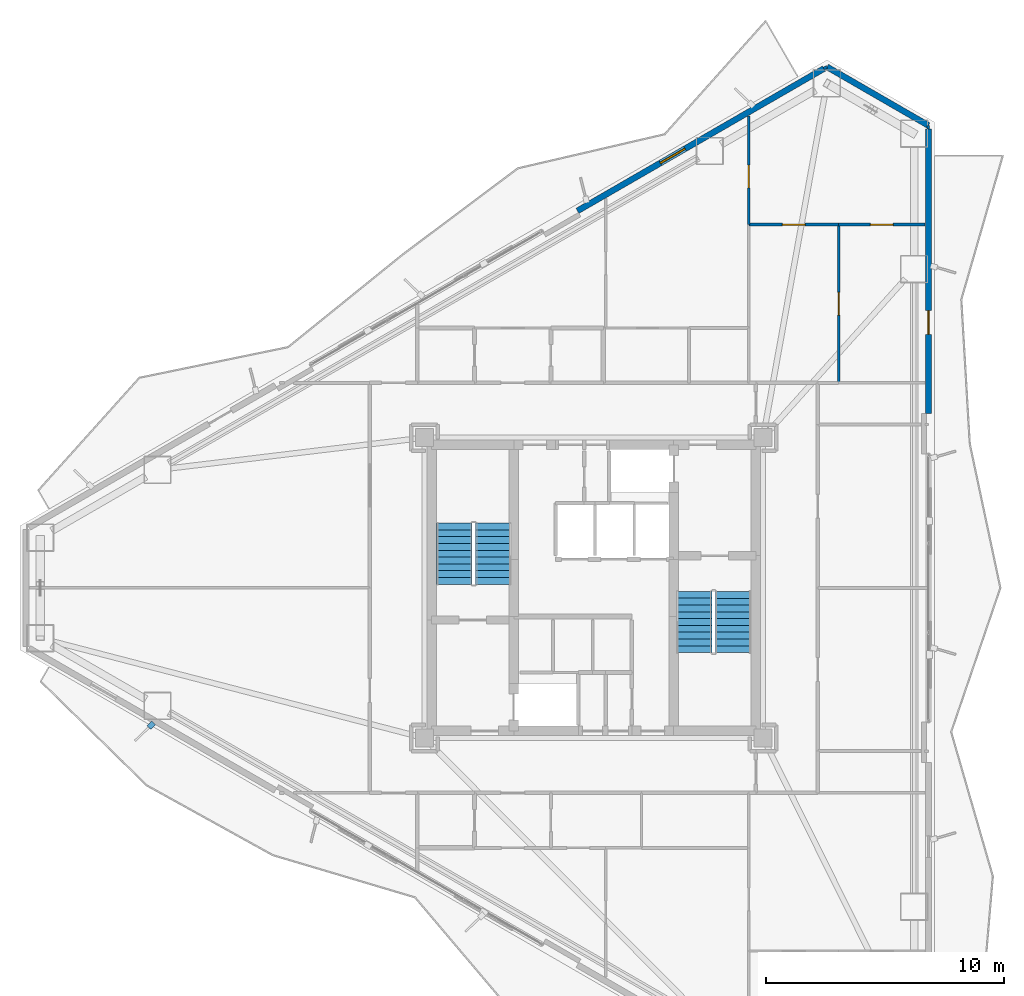
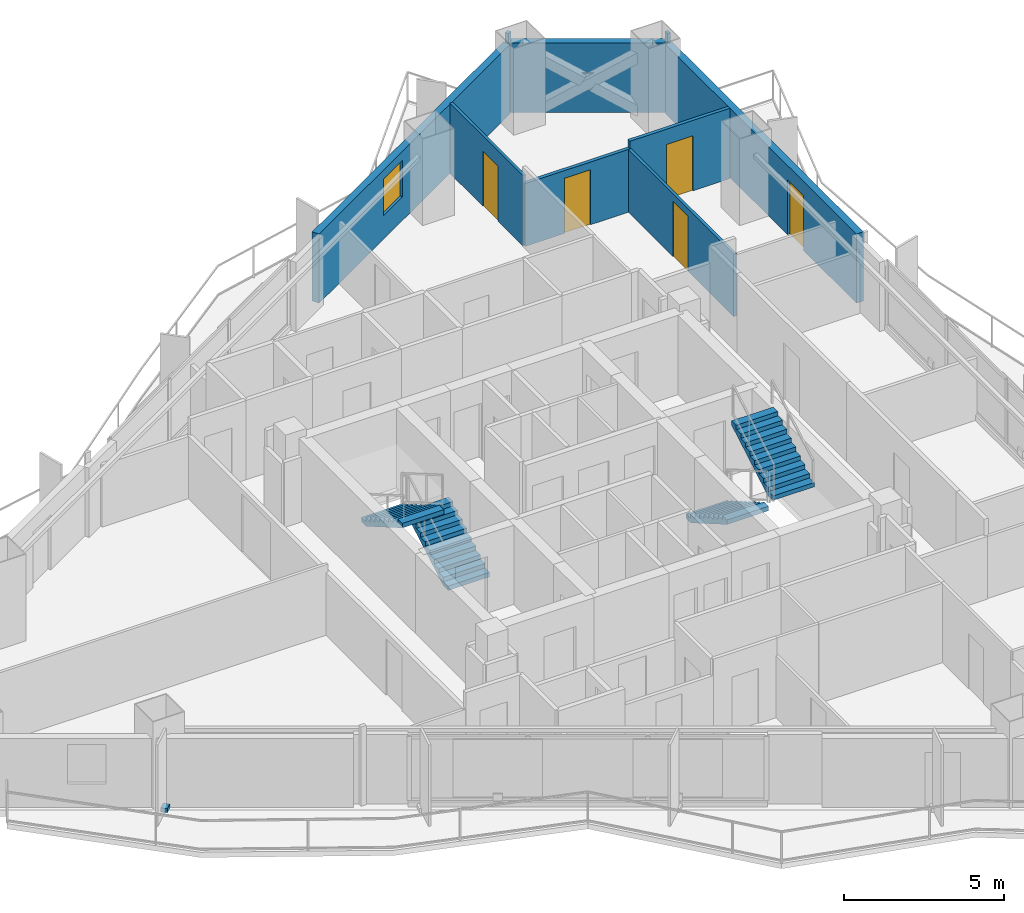
# One storey, part 19 of 22: 9 walls, 5 doors, 4 stair flights, 1 discrete accessory, 1 window, 6 openings, 2 elements without a shape of their own.
"""IFC4 building model written with IfcOpenShell, lengths in metres."""

from ifc_helpers import new_model, si_unit, direction, frame, frame_2d, origin, origin_2d, place, context, subcontext, project, spatial, polyline, rectangle, outline, extrude, material, layer, layer_set, type_object, element, fill, aggregate, save


model = new_model("IFC4")

# Units and contexts
model_context = context("Model", 3, precision=1e-05, world=origin(), true_north=direction((0.0, 1.0)))
body_context = subcontext(model_context, "Body", "Model", "MODEL_VIEW")
ifc_project = project(units=[si_unit("LENGTHUNIT", "METRE"), si_unit("AREAUNIT", "SQUARE_METRE"), si_unit("VOLUMEUNIT", "CUBIC_METRE"), si_unit("PLANEANGLEUNIT", "RADIAN"), si_unit("MASSUNIT", "GRAM", prefix="KILO")], contexts=[model_context])

# Site, building, storey
site_placement = place(None, origin())
site = spatial("IfcSite", under=ifc_project, at=site_placement, CompositionType="ELEMENT")
building_placement = place(site_placement, origin())
building = spatial("IfcBuilding", under=site, at=building_placement, Name="Mersakhor Tower and Convention Hall", CompositionType="ELEMENT")
storey_placement = place(building_placement, frame((0.0, 0.0, 113.10009765625)))
storey = spatial("IfcBuildingStorey", under=building, at=storey_placement, Name="L31", CompositionType="ELEMENT", Elevation=113.10009765625)

# Wall
ifc_material_1 = material(Name="Precast concrete C40/50", Category="concrete")
ifc_layer_1 = layer(ifc_material_1, 0.25)
ifc_layer_set_1 = layer_set([ifc_layer_1], Name="Precast concrete C40/50")
wall_type_1 = type_object("IfcWallType", Name="WL-EXT-250", PredefinedType="SOLIDWALL", material=ifc_layer_set_1)
wall_1_placement = place(storey_placement, frame((38.77880859375, 48.6015625, 0.0), z_axis=(0.0, 0.0, 1.0), x_axis=(0.866011848704, -0.500023477353, 0.0)))
element("IfcWall", 1, at=wall_1_placement, inside=storey, type_object=wall_type_1, Name="L31 Chamfer Braced Spandrel Wall C1", PredefinedType="SOLIDWALL", context=body_context, shape_type="SweptSolid", body=[
    extrude(rectangle(XDim=4.914306640625, YDim=0.25, at=frame_2d((2.45703125, 0.0))), origin(), (0.0, 0.0, 1.0), 2.639892578125),
])

# Wall, opening, window
wall_2_placement = place(storey_placement, frame((28.3173828125, 42.561767578125, 0.0), z_axis=(0.0, 0.0, 1.0), x_axis=(0.866023023012, 0.500004123596, 0.0)))
wall_2 = element("IfcWall", 2, at=wall_2_placement, inside=storey, type_object=wall_type_1, Name="L31 Exterior Facade Wall F1-B3", PredefinedType="SOLIDWALL", context=body_context, shape_type="SweptSolid", body=[
    extrude(rectangle(XDim=11.9296875, YDim=0.25, at=frame_2d((5.96484375, 0.0))), origin(), (0.0, 0.0, 1.0), 2.639892578125),
])
opening_1_placement = place(wall_2_placement, frame((4.010986328125, 0.0, 0.89990234375)))
opening_1 = element("IfcOpeningElement", 3, at=opening_1_placement, cuts=wall_2, Name="Opening W-01", PredefinedType="OPENING", context=body_context, shape_type="SweptSolid", body=[
    extrude(rectangle(XDim=1.199951171875, YDim=1.39990234375, at=frame_2d((0.60009765625, 0.699951171875))), frame((0.0, 0.135009765625, 0.0), z_axis=(0.0, -1.0, 0.0), x_axis=(1.0, 0.0, 0.0)), (0.0, 0.0, 1.0), 0.27001953125),
])
ifc_material_2 = material(Name="Dark solar low-E glazed aluminium window", Category="aluminium")
window_type = type_object("IfcWindowType", Name="WN-RES-120x150", PartitioningType="SINGLE_PANEL", PredefinedType="WINDOW", material=ifc_material_2)
window_placement = place(opening_1_placement, origin())
window = element("IfcWindow", 4, at=window_placement, inside=storey, type_object=window_type, Name="L31 Bedroom Facade Window F1-B3-1", OverallHeight=1.39990234375, OverallWidth=1.199951171875, PartitioningType="SINGLE_PANEL", PredefinedType="WINDOW", context=body_context, shape_type="SweptSolid", body=[
    extrude(rectangle(XDim=1.199951171875, YDim=1.39990234375, at=frame_2d((0.60009765625, 0.699951171875))), frame((0.0, 0.030029296875, 0.0), z_axis=(0.0, -1.0, 0.0), x_axis=(1.0, 0.0, 0.0)), (0.0, 0.0, 1.0), 0.06005859375),
])
fill(opening_1, window)

# Wall, opening, door
wall_3_placement = place(storey_placement, frame((43.03466796875, 45.994384765625, 0.0), z_axis=(0.0, 0.0, 1.0), x_axis=(0.0, -1.0, 0.0)))
wall_3 = element("IfcWall", 5, at=wall_3_placement, inside=storey, type_object=wall_type_1, Name="L31 Exterior Facade Wall F2-B1", PredefinedType="SOLIDWALL", context=body_context, shape_type="SweptSolid", body=[
    extrude(rectangle(XDim=11.9296875, YDim=0.25, at=frame_2d((5.96484375, 0.0))), origin(), (0.0, 0.0, 1.0), 2.639892578125),
])
opening_2_placement = place(wall_3_placement, frame((7.615966796875, 0.0, 0.0)))
opening_2 = element("IfcOpeningElement", 6, at=opening_2_placement, cuts=wall_3, Name="Opening BD-01", PredefinedType="OPENING", context=body_context, shape_type="SweptSolid", body=[
    extrude(rectangle(XDim=1.0, YDim=2.10009765625, at=frame_2d((0.5, 1.050048828125))), frame((0.0, 0.135009765625, 0.0), z_axis=(0.0, -1.0, 0.0), x_axis=(1.0, 0.0, 0.0)), (0.0, 0.0, 1.0), 0.27001953125),
])
ifc_material_3 = material(Name="Thermally broken dark aluminium and safety glass", Category="aluminium")
door_type_1 = type_object("IfcDoorType", Name="DR-BAL-100x210", OperationType="NOTDEFINED", PredefinedType="DOOR", material=ifc_material_3)
door_1_placement = place(opening_2_placement, origin())
door_1 = element("IfcDoor", 7, at=door_1_placement, inside=storey, type_object=door_type_1, Name="L31 Balcony Terrace Door F2-B1", OperationType="SINGLE_SWING_LEFT", OverallHeight=2.10009765625, OverallWidth=1.0, PredefinedType="DOOR", context=body_context, shape_type="SweptSolid", body=[
    extrude(rectangle(XDim=1.0, YDim=2.10009765625, at=frame_2d((0.5, 1.050048828125))), frame((0.0, 0.02490234375, 0.0), z_axis=(0.0, -1.0, 0.0), x_axis=(1.0, 0.0, 0.0)), (0.0, 0.0, 1.0), 0.050048828125),
])
fill(opening_2, door_1)

ifc_material_4 = material(Name="Lightweight gypsum partition", Category="other")
ifc_layer_2 = layer(ifc_material_4, 0.10009765625)
ifc_layer_set_2 = layer_set([ifc_layer_2], Name="Lightweight gypsum partition")
wall_type_2 = type_object("IfcWallType", Name="WL-PRT-100", PredefinedType="PARTITIONING", material=ifc_layer_set_2)
wall_4_placement = place(storey_placement, frame((35.5, 46.53662109375, 0.0), z_axis=(0.0, 0.0, 1.0), x_axis=(0.0, -1.0, 0.0)))
wall_4 = element("IfcWall", 8, at=wall_4_placement, inside=storey, type_object=wall_type_2, Name="L31 Interior Partition Wall P-094", PredefinedType="PARTITIONING", context=body_context, shape_type="SweptSolid", body=[
    extrude(rectangle(XDim=4.556640625, YDim=0.10009765625, at=frame_2d((2.2783203125, 0.0))), origin(), (0.0, 0.0, 1.0), 2.684326171875),
])
opening_3_placement = place(wall_4_placement, frame((2.061767578125, 0.0, 0.0)))
opening_3 = element("IfcOpeningElement", 9, at=opening_3_placement, cuts=wall_4, Name="Opening RD-01", PredefinedType="OPENING", context=body_context, shape_type="SweptSolid", body=[
    extrude(rectangle(XDim=0.949951171875, YDim=2.10009765625, at=frame_2d((0.47509765625, 1.050048828125))), frame((0.0, 0.06005859375, 0.0), z_axis=(0.0, -1.0, 0.0), x_axis=(1.0, 0.0, 0.0)), (0.0, 0.0, 1.0), 0.1201171875),
])
ifc_material_5 = material(Name="Solid-core hardwood leaf in painted steel frame", Category="steel")
door_type_2 = type_object("IfcDoorType", Name="DR-INT-RM-095x210", OperationType="NOTDEFINED", PredefinedType="DOOR", material=ifc_material_5)
door_2_placement = place(opening_3_placement, origin())
door_2 = element("IfcDoor", 10, at=door_2_placement, inside=storey, type_object=door_type_2, Name="L31 L31 Flat N1 Master Bedroom to L31 Flat N1 Dining Room Door", OperationType="SINGLE_SWING_LEFT", OverallHeight=2.10009765625, OverallWidth=0.949951171875, PredefinedType="DOOR", context=body_context, shape_type="SweptSolid", body=[
    extrude(rectangle(XDim=0.949951171875, YDim=2.10009765625, at=frame_2d((0.47509765625, 1.050048828125))), frame((0.0, 0.02490234375, 0.0), z_axis=(0.0, -1.0, 0.0), x_axis=(1.0, 0.0, 0.0)), (0.0, 0.0, 1.0), 0.050048828125),
])
fill(opening_3, door_2)

wall_5_placement = place(storey_placement, frame((39.27001953125, 41.97998046875, 0.0), z_axis=(0.0, 0.0, 1.0), x_axis=(0.0, -1.0, 0.0)))
wall_5 = element("IfcWall", 11, at=wall_5_placement, inside=storey, type_object=wall_type_2, Name="L31 Interior Partition Wall P-098", PredefinedType="PARTITIONING", context=body_context, shape_type="SweptSolid", body=[
    extrude(rectangle(XDim=6.6298828125, YDim=0.10009765625, at=frame_2d((3.31494140625, 0.0))), origin(), (0.0, 0.0, 1.0), 2.392822265625),
])
opening_4_placement = place(wall_5_placement, frame((2.840087890625, 0.0, 0.0)))
opening_4 = element("IfcOpeningElement", 12, at=opening_4_placement, cuts=wall_5, Name="Opening RD-01", PredefinedType="OPENING", context=body_context, shape_type="SweptSolid", body=[
    extrude(rectangle(XDim=0.949951171875, YDim=2.10009765625, at=frame_2d((0.47509765625, 1.050048828125))), frame((0.0, 0.06005859375, 0.0), z_axis=(0.0, -1.0, 0.0), x_axis=(1.0, 0.0, 0.0)), (0.0, 0.0, 1.0), 0.1201171875),
])
door_3_placement = place(opening_4_placement, origin())
door_3 = element("IfcDoor", 13, at=door_3_placement, inside=storey, type_object=door_type_2, Name="L31 L31 Flat N1 Bedroom 2 to L31 Flat N1 Study Room Door", OperationType="SINGLE_SWING_RIGHT", OverallHeight=2.10009765625, OverallWidth=0.949951171875, PredefinedType="DOOR", context=body_context, shape_type="SweptSolid", body=[
    extrude(rectangle(XDim=0.949951171875, YDim=2.10009765625, at=frame_2d((0.47509765625, 1.050048828125))), frame((0.0, 0.02490234375, 0.0), z_axis=(0.0, -1.0, 0.0), x_axis=(1.0, 0.0, 0.0)), (0.0, 0.0, 1.0), 0.050048828125),
])
fill(opening_4, door_3)

# Wall
wall_6_placement = place(storey_placement, frame((43.034912109375, 46.14404296875, 0.0), z_axis=(0.0, 0.0, 1.0), x_axis=(0.0, -1.0, 0.0)))
element("IfcWall", 14, at=wall_6_placement, inside=storey, type_object=wall_type_2, Name="L31 Interior Partition Wall P-102", PredefinedType="PARTITIONING", context=body_context, shape_type="SweptSolid", body=[
    extrude(rectangle(XDim=0.149658203125, YDim=0.10009765625, at=frame_2d((0.07470703125, 0.0))), origin(), (0.0, 0.0, 1.0), 3.02001953125),
])

# Wall, opening, door
ifc_material_6 = material(Name="Gypsum board acoustic partition", Category="other")
ifc_layer_3 = layer(ifc_material_6, 0.125)
ifc_layer_set_3 = layer_set([ifc_layer_3], Name="Gypsum board acoustic partition")
wall_type_3 = type_object("IfcWallType", Name="WL-PRT-125", PredefinedType="PARTITIONING", material=ifc_layer_set_3)
wall_7_placement = place(storey_placement, frame((35.5, 41.97998046875, 0.0), z_axis=(0.0, 0.0, 1.0), x_axis=(1.0, 0.0, 0.0)))
wall_7 = element("IfcWall", 15, at=wall_7_placement, inside=storey, type_object=wall_type_3, Name="L31 Interior Partition Wall P-097", PredefinedType="PARTITIONING", context=body_context, shape_type="SweptSolid", body=[
    extrude(rectangle(XDim=3.77001953125, YDim=0.125, at=frame_2d((1.885009765625, 0.0))), origin(), (0.0, 0.0, 1.0), 2.392822265625),
])
opening_5_placement = place(wall_7_placement, frame((1.409912109375, 0.0, 0.0)))
opening_5 = element("IfcOpeningElement", 16, at=opening_5_placement, cuts=wall_7, Name="Opening RD-01", PredefinedType="OPENING", context=body_context, shape_type="SweptSolid", body=[
    extrude(rectangle(XDim=0.949951171875, YDim=2.10009765625, at=frame_2d((0.47509765625, 1.050048828125))), frame((0.0, 0.072509765625, 0.0), z_axis=(0.0, -1.0, 0.0), x_axis=(1.0, 0.0, 0.0)), (0.0, 0.0, 1.0), 0.14501953125),
])
door_4_placement = place(opening_5_placement, origin())
door_4 = element("IfcDoor", 17, at=door_4_placement, inside=storey, type_object=door_type_2, Name="L31 L31 Flat N1 Bedroom 2 to L31 Flat N1 Dining Room Door", OperationType="SINGLE_SWING_LEFT", OverallHeight=2.10009765625, OverallWidth=0.949951171875, PredefinedType="DOOR", context=body_context, shape_type="SweptSolid", body=[
    extrude(rectangle(XDim=0.949951171875, YDim=2.10009765625, at=frame_2d((0.47509765625, 1.050048828125))), frame((0.0, 0.02490234375, 0.0), z_axis=(0.0, -1.0, 0.0), x_axis=(1.0, 0.0, 0.0)), (0.0, 0.0, 1.0), 0.050048828125),
])
fill(opening_5, door_4)

wall_8_placement = place(storey_placement, frame((39.27001953125, 41.97998046875, 0.0), z_axis=(0.0, 0.0, 1.0), x_axis=(1.0, 0.0, 0.0)))
wall_8 = element("IfcWall", 18, at=wall_8_placement, inside=storey, type_object=wall_type_3, Name="L31 Interior Partition Wall P-101", PredefinedType="PARTITIONING", context=body_context, shape_type="SweptSolid", body=[
    extrude(rectangle(XDim=3.615478515625, YDim=0.125, at=frame_2d((1.8076171875, 0.0))), origin(), (0.0, 0.0, 1.0), 2.684326171875),
])
opening_6_placement = place(wall_8_placement, frame((1.332763671875, 0.0, 0.0)))
opening_6 = element("IfcOpeningElement", 19, at=opening_6_placement, cuts=wall_8, Name="Opening RD-01", PredefinedType="OPENING", context=body_context, shape_type="SweptSolid", body=[
    extrude(rectangle(XDim=0.949951171875, YDim=2.10009765625, at=frame_2d((0.47509765625, 1.050048828125))), frame((0.0, 0.072509765625, 0.0), z_axis=(0.0, -1.0, 0.0), x_axis=(1.0, 0.0, 0.0)), (0.0, 0.0, 1.0), 0.14501953125),
])
door_5_placement = place(opening_6_placement, origin())
door_5 = element("IfcDoor", 20, at=door_5_placement, inside=storey, type_object=door_type_2, Name="L31 L31 Flat N1 Study Room to L31 Flat N1 Dining Room Door", OperationType="SINGLE_SWING_RIGHT", OverallHeight=2.10009765625, OverallWidth=0.949951171875, PredefinedType="DOOR", context=body_context, shape_type="SweptSolid", body=[
    extrude(rectangle(XDim=0.949951171875, YDim=2.10009765625, at=frame_2d((0.47509765625, 1.050048828125))), frame((0.0, 0.02490234375, 0.0), z_axis=(0.0, -1.0, 0.0), x_axis=(1.0, 0.0, 0.0)), (0.0, 0.0, 1.0), 0.050048828125),
])
fill(opening_6, door_5)

# Wall
wall_9_placement = place(storey_placement, frame((38.648681640625, 48.52685546875, 0.0), z_axis=(0.0, 0.0, 1.0), x_axis=(0.866239593359, 0.499628829129, 0.0)))
element("IfcWall", 21, at=wall_9_placement, inside=storey, type_object=wall_type_3, Name="L31 Interior Partition Wall P-103", PredefinedType="PARTITIONING", context=body_context, shape_type="SweptSolid", body=[
    extrude(rectangle(XDim=0.150390625, YDim=0.125, at=frame_2d((0.0751953125, 0.0))), origin(), (0.0, 0.0, 1.0), 3.02001953125),
])

# Stair, stair flights
ifc_material_7 = material(Name="Concrete C45/55", Category="concrete")
stair_type = type_object("IfcStairType", Name="ST-TWR-20R", PredefinedType="HALF_TURN_STAIR", material=ifc_material_7)
stair_1_placement = place(storey_placement, origin())
stair_1 = element("IfcStair", 22, at=stair_1_placement, inside=storey, type_object=stair_type, Name="L31 Tower Protected Exit Stair ST-1", PredefinedType="HALF_TURN_STAIR")
ifc_material_8 = material(Name="Concrete C45/55", Category="concrete")
stair_flight_type = type_object("IfcStairFlightType", Name="SFL-TWR-20R", PredefinedType="STRAIGHT", material=ifc_material_8)
stair_flight_1_placement = place(storey_placement, frame((24.800048828125, 26.89990234375, 0.0), z_axis=(0.0, 0.0, 1.0), x_axis=(0.0, 1.0, 0.0)))
stair_flight_1 = element("IfcStairFlight", 23, at=stair_flight_1_placement, type_object=stair_flight_type, Name="ST-1 flight 1", NumberOfRisers=10, NumberOfTreads=9, PredefinedType="STRAIGHT", RiserHeight=0.165, TreadLength=0.285, context=body_context, shape_type="SweptSolid", body=[
    extrude(outline(polyline([(0.0, 0.0), (0.0, 0.1650390625), (0.284912109375, 0.1650390625), (0.284912109375, 0.330078125), (0.570068359375, 0.330078125), (0.570068359375, 0.4951171875), (0.85498046875, 0.4951171875), (0.85498046875, 0.659912109375), (1.139892578125, 0.659912109375), (1.139892578125, 0.824951171875), (1.425048828125, 0.824951171875), (1.425048828125, 0.989990234375), (1.7099609375, 0.989990234375), (1.7099609375, 1.155029296875), (1.9951171875, 1.155029296875), (1.9951171875, 1.320068359375), (2.280029296875, 1.320068359375), (2.280029296875, 1.485107421875), (2.56494140625, 1.485107421875), (2.56494140625, 1.64990234375), (2.56494140625, 1.311767578125), (0.299072265625, 0.0), (0.0, 0.0)])), frame((0.0, 0.75, 0.0), z_axis=(0.0, -1.0, 0.0), x_axis=(1.0, 0.0, 0.0)), (0.0, 0.0, 1.0), 1.5),
])
stair_flight_2_placement = place(storey_placement, frame((23.14990234375, 29.465087890625, 1.64990234375), z_axis=(0.0, 0.0, 1.0), x_axis=(0.0, -1.0, 0.0)))
stair_flight_2 = element("IfcStairFlight", 24, at=stair_flight_2_placement, type_object=stair_flight_type, Name="ST-1 flight 2", NumberOfRisers=10, NumberOfTreads=9, PredefinedType="STRAIGHT", RiserHeight=0.165, TreadLength=0.285, context=body_context, shape_type="SweptSolid", body=[
    extrude(outline(polyline([(0.0, 0.0), (0.0, 0.1650390625), (0.284912109375, 0.1650390625), (0.284912109375, 0.330078125), (0.570068359375, 0.330078125), (0.570068359375, 0.4951171875), (0.85498046875, 0.4951171875), (0.85498046875, 0.659912109375), (1.139892578125, 0.659912109375), (1.139892578125, 0.824951171875), (1.425048828125, 0.824951171875), (1.425048828125, 0.989990234375), (1.7099609375, 0.989990234375), (1.7099609375, 1.155029296875), (1.9951171875, 1.155029296875), (1.9951171875, 1.320068359375), (2.280029296875, 1.320068359375), (2.280029296875, 1.485107421875), (2.56494140625, 1.485107421875), (2.56494140625, 1.64990234375), (2.56494140625, 1.311767578125), (0.299072265625, 0.0), (0.0, 0.0)])), frame((0.0, 0.75, 0.0), z_axis=(0.0, -1.0, 0.0), x_axis=(1.0, 0.0, 0.0)), (0.0, 0.0, 1.0), 1.5),
])
aggregate(stair_1, [stair_flight_1, stair_flight_2])

stair_2_placement = place(storey_placement, origin())
stair_2 = element("IfcStair", 25, at=stair_2_placement, inside=storey, type_object=stair_type, Name="L31 Tower Protected Exit Stair ST-2", PredefinedType="HALF_TURN_STAIR")
stair_flight_3_placement = place(storey_placement, frame((33.199951171875, 26.60009765625, 0.0), z_axis=(0.0, 0.0, 1.0), x_axis=(0.0, -1.0, 0.0)))
stair_flight_3 = element("IfcStairFlight", 26, at=stair_flight_3_placement, type_object=stair_flight_type, Name="ST-2 flight 1", NumberOfRisers=10, NumberOfTreads=9, PredefinedType="STRAIGHT", RiserHeight=0.165, TreadLength=0.285, context=body_context, shape_type="SweptSolid", body=[
    extrude(outline(polyline([(0.0, 0.0), (0.0, 0.1650390625), (0.284912109375, 0.1650390625), (0.284912109375, 0.330078125), (0.570068359375, 0.330078125), (0.570068359375, 0.4951171875), (0.85498046875, 0.4951171875), (0.85498046875, 0.659912109375), (1.139892578125, 0.659912109375), (1.139892578125, 0.824951171875), (1.425048828125, 0.824951171875), (1.425048828125, 0.989990234375), (1.7099609375, 0.989990234375), (1.7099609375, 1.155029296875), (1.9951171875, 1.155029296875), (1.9951171875, 1.320068359375), (2.280029296875, 1.320068359375), (2.280029296875, 1.485107421875), (2.56494140625, 1.485107421875), (2.56494140625, 1.64990234375), (2.56494140625, 1.311767578125), (0.299072265625, 0.0), (0.0, 0.0)])), frame((0.0, 0.75, 0.0), z_axis=(0.0, -1.0, 0.0), x_axis=(1.0, 0.0, 0.0)), (0.0, 0.0, 1.0), 1.5),
])
stair_flight_4_placement = place(storey_placement, frame((34.85009765625, 24.034912109375, 1.64990234375), z_axis=(0.0, 0.0, 1.0), x_axis=(0.0, 1.0, 0.0)))
stair_flight_4 = element("IfcStairFlight", 27, at=stair_flight_4_placement, type_object=stair_flight_type, Name="ST-2 flight 2", NumberOfRisers=10, NumberOfTreads=9, PredefinedType="STRAIGHT", RiserHeight=0.165, TreadLength=0.285, context=body_context, shape_type="SweptSolid", body=[
    extrude(outline(polyline([(0.0, 0.0), (0.0, 0.1650390625), (0.284912109375, 0.1650390625), (0.284912109375, 0.330078125), (0.570068359375, 0.330078125), (0.570068359375, 0.4951171875), (0.85498046875, 0.4951171875), (0.85498046875, 0.659912109375), (1.139892578125, 0.659912109375), (1.139892578125, 0.824951171875), (1.425048828125, 0.824951171875), (1.425048828125, 0.989990234375), (1.7099609375, 0.989990234375), (1.7099609375, 1.155029296875), (1.9951171875, 1.155029296875), (1.9951171875, 1.320068359375), (2.280029296875, 1.320068359375), (2.280029296875, 1.485107421875), (2.56494140625, 1.485107421875), (2.56494140625, 1.64990234375), (2.56494140625, 1.311767578125), (0.299072265625, 0.0), (0.0, 0.0)])), frame((0.0, 0.75, 0.0), z_axis=(0.0, -1.0, 0.0), x_axis=(1.0, 0.0, 0.0)), (0.0, 0.0, 1.0), 1.5),
])
aggregate(stair_2, [stair_flight_3, stair_flight_4])

# Discrete accessory
ifc_material_9 = material(Name="Galvanised steel bracket", Category="steel")
ifc_layer_4 = layer(ifc_material_9, 0.02001953125)
ifc_layer_set_4 = layer_set([ifc_layer_4], Name="Galvanised steel bracket")
discrete_accessory_type = type_object("IfcDiscreteAccessoryType", Name="ACC-BRK-STL", PredefinedType="BRACKET", material=ifc_layer_set_4)
discrete_accessory_placement = place(storey_placement, frame((10.44091796875, 20.993896484375, -0.02001953125), z_axis=(0.0, 0.0, 1.0), x_axis=(-0.719339800339, -0.694658370459, 0.0)))
element("IfcDiscreteAccessory", 28, at=discrete_accessory_placement, inside=storey, type_object=discrete_accessory_type, Name="L31 Facade Fin Base Cleat Bracket FBRK-3-4", PredefinedType="BRACKET", context=body_context, shape_type="SweptSolid", body=[
    extrude(rectangle(XDim=0.280029296875, YDim=0.219970703125, at=origin_2d()), origin(), (0.0, 0.0, 1.0), 0.159912109375),
])

save(model, "model.ifc")
